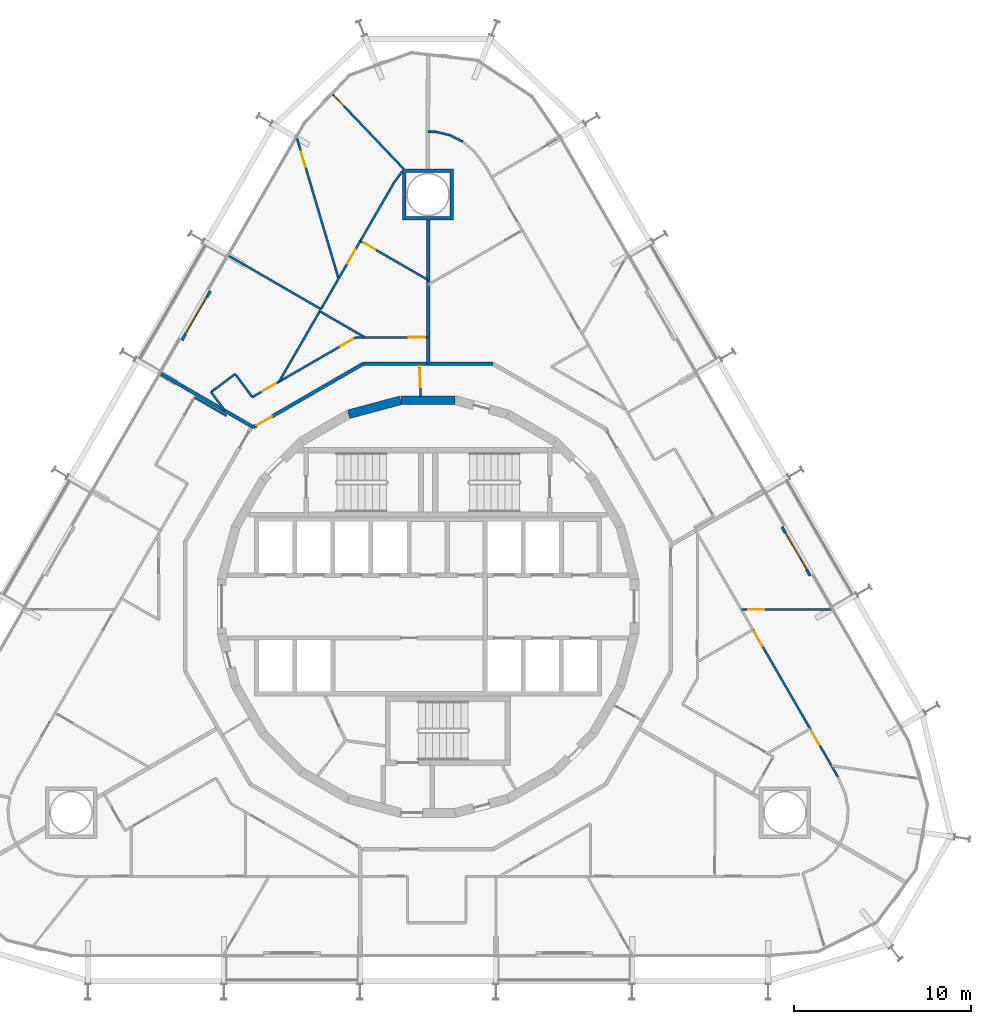
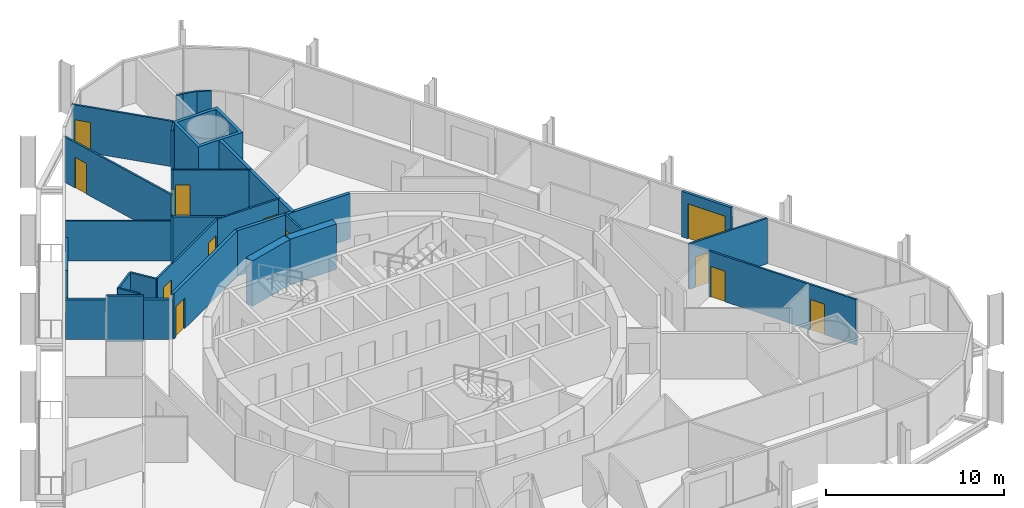
# One storey, part 17 of 19: 30 walls, 14 doors, 14 openings.
"""IFC4 building model written with IfcOpenShell, lengths in metres."""

from ifc_helpers import new_model, si_unit, direction, frame, frame_2d, origin, place, context, subcontext, project, spatial, polyline, rectangle, outline, extrude, material, layer, layer_set, type_object, element, fill, save


model = new_model("IFC4")

# Units and contexts
model_context = context("Model", 3, precision=1e-05, world=origin(), true_north=direction((0.0, 1.0)))
body_context = subcontext(model_context, "Body", "Model", "MODEL_VIEW")
ifc_project = project(units=[si_unit("LENGTHUNIT", "METRE"), si_unit("AREAUNIT", "SQUARE_METRE"), si_unit("VOLUMEUNIT", "CUBIC_METRE"), si_unit("PLANEANGLEUNIT", "RADIAN"), si_unit("MASSUNIT", "GRAM", prefix="KILO")], contexts=[model_context])

# Site, building, storey
site_placement = place(None, origin())
site = spatial("IfcSite", under=ifc_project, at=site_placement, CompositionType="ELEMENT")
building_placement = place(site_placement, origin())
building = spatial("IfcBuilding", under=site, at=building_placement, Name="Spindle Arch Residences", CompositionType="ELEMENT")
storey_placement = place(building_placement, frame((0.0, 0.0, 45.39990234375)))
storey = spatial("IfcBuildingStorey", under=building, at=storey_placement, Name="L09", CompositionType="ELEMENT", Elevation=45.39990234375)

# Walls
ifc_material_1 = material(Name="Concrete C50/60", Category="concrete")
ifc_layer_1 = layer(ifc_material_1, 0.5)
ifc_layer_set_1 = layer_set([ifc_layer_1], Name="Core outline wall 500")
wall_type_1 = type_object("IfcWallType", Name="Core outline wall 500", PredefinedType="SHEAR", material=ifc_layer_set_1)
for number, where, z_axis, x_axis, name in (
    (1, (1.516357421875, 11.647216796875, 0.0), (0.0, 0.0, 1.0), (-1.0, 0.0, 0.0), "Core outline wall 12"),
    (2, (-1.5498046875, 11.642822265625, 0.0), (0.0, 0.0, 1.0), (-0.965948410781, -0.258734743916, 0.0), "Core outline wall 13"),
):
    element("IfcWall", number, at=place(storey_placement, frame(where, z_axis=z_axis, x_axis=x_axis)), inside=storey, type_object=wall_type_1, Name=name, PredefinedType="SHEAR", context=body_context, shape_type="SweptSolid", body=[
        extrude(rectangle(XDim=3.03271484375, YDim=0.5, at=frame_2d((1.516357421875, 0.0))), origin(), (0.0, 0.0, 1.0), 3.1201171875),
    ])

# Wall, opening, door
ifc_material_2 = material(Name="Plasterboard on steel studs", Category="steel")
ifc_layer_2 = layer(ifc_material_2, 0.1201171875)
ifc_layer_set_2 = layer_set([ifc_layer_2], Name="Corridor division wall 120")
wall_type_2 = type_object("IfcWallType", Name="Corridor division wall 120", PredefinedType="PARTITIONING", material=ifc_layer_set_2)
wall_1_placement = place(storey_placement, frame((-0.478515625, 13.699951171875, 0.0), z_axis=(0.0, 0.0, 1.0), x_axis=(0.034919103017, -0.999390142159, 0.0)))
wall_1 = element("IfcWall", 3, at=wall_1_placement, inside=storey, type_object=wall_type_2, Name="Corridor division wall R1A0-W001", PredefinedType="PARTITIONING", context=body_context, shape_type="SweptSolid", body=[
    extrude(rectangle(XDim=1.803955078125, YDim=0.1201171875, at=frame_2d((0.90185546875, 0.0))), origin(), (0.0, 0.0, 1.0), 3.1201171875),
])
opening_1_placement = place(wall_1_placement, frame((0.110107421875, 0.0, 0.0)))
opening_1 = element("IfcOpeningElement", 4, at=opening_1_placement, cuts=wall_1, Name="Opening R1A0-CD01", PredefinedType="OPENING", context=body_context, shape_type="SweptSolid", body=[
    extrude(rectangle(XDim=1.199951171875, YDim=2.10009765625, at=frame_2d((0.60009765625, 1.050048828125))), frame((0.0, 0.070068359375, 0.0), z_axis=(0.0, -1.0, 0.0), x_axis=(1.0, 0.0, 0.0)), (0.0, 0.0, 1.0), 0.14013671875),
])
ifc_material_3 = material(Name="Steel, fire-resisting door", Category="steel")
door_type_1 = type_object("IfcDoorType", Name="Corridor division door 1200x2100", OperationType="NOTDEFINED", PredefinedType="DOOR", material=ifc_material_3)
door_1_placement = place(opening_1_placement, origin())
door_1 = element("IfcDoor", 5, at=door_1_placement, inside=storey, type_object=door_type_1, Name="Corridor division door R1A0-CD01", OperationType="DOUBLE_DOOR_SINGLE_SWING", OverallHeight=2.10009765625, OverallWidth=1.199951171875, PredefinedType="DOOR", context=body_context, shape_type="SweptSolid", body=[
    extrude(rectangle(XDim=1.199951171875, YDim=2.10009765625, at=frame_2d((0.60009765625, 1.050048828125))), frame((0.0, 0.02490234375, 0.0), z_axis=(0.0, -1.0, 0.0), x_axis=(1.0, 0.0, 0.0)), (0.0, 0.0, 1.0), 0.050048828125),
])
fill(opening_1, door_1)

# Wall
ifc_material_4 = material(Name="Calcium silicate block, plastered")
ifc_layer_3 = layer(ifc_material_4, 0.199951171875)
ifc_layer_set_3 = layer_set([ifc_layer_3], Name="Corridor wall 200")
wall_type_3 = type_object("IfcWallType", Name="Corridor wall 200", PredefinedType="STANDARD", material=ifc_layer_set_3)
wall_2_placement = place(storey_placement, frame((3.6708984375, 13.699951171875, 0.0), z_axis=(0.0, 0.0, 1.0), x_axis=(-1.0, 0.0, 0.0)))
element("IfcWall", 6, at=wall_2_placement, inside=storey, type_object=wall_type_3, Name="Corridor wall R1A0-W006", PredefinedType="STANDARD", context=body_context, shape_type="SweptSolid", body=[
    extrude(rectangle(XDim=7.341796875, YDim=0.199951171875, at=frame_2d((3.6708984375, 0.0))), origin(), (0.0, 0.0, 1.0), 3.1201171875),
])

# Wall, opening, door
wall_3_placement = place(storey_placement, frame((-3.6708984375, 13.699951171875, 0.0), z_axis=(0.0, 0.0, 1.0), x_axis=(-0.866031419417, -0.499989580474, 0.0)))
wall_3 = element("IfcWall", 7, at=wall_3_placement, inside=storey, type_object=wall_type_3, Name="Corridor wall R1A0-W009", PredefinedType="STANDARD", context=body_context, shape_type="SweptSolid", body=[
    extrude(rectangle(XDim=7.146728515625, YDim=0.199951171875, at=frame_2d((3.5732421875, 0.0))), origin(), (0.0, 0.0, 1.0), 3.1201171875),
])
opening_2_placement = place(wall_3_placement, frame((5.946533203125, 0.0, 0.0)))
opening_2 = element("IfcOpeningElement", 8, at=opening_2_placement, cuts=wall_3, Name="Opening R1A0-FD02", PredefinedType="OPENING", context=body_context, shape_type="SweptSolid", body=[
    extrude(rectangle(XDim=1.0, YDim=2.10009765625, at=frame_2d((0.5, 1.050048828125))), frame((0.0, 0.10986328125, 0.0), z_axis=(0.0, -1.0, 0.0), x_axis=(1.0, 0.0, 0.0)), (0.0, 0.0, 1.0), 0.219970703125),
])
ifc_material_5 = material(Name="Timber, fire-resisting door set", Category="wood")
door_type_2 = type_object("IfcDoorType", Name="Flat entrance door 1000x2100", OperationType="NOTDEFINED", PredefinedType="DOOR", material=ifc_material_5)
door_2_placement = place(opening_2_placement, origin())
door_2 = element("IfcDoor", 9, at=door_2_placement, inside=storey, type_object=door_type_2, Name="Flat entrance door R1A0-FD02", OperationType="SINGLE_SWING_LEFT", OverallHeight=2.10009765625, OverallWidth=1.0, PredefinedType="DOOR", context=body_context, shape_type="SweptSolid", body=[
    extrude(rectangle(XDim=1.0, YDim=2.10009765625, at=frame_2d((0.5, 1.050048828125))), frame((0.0, 0.02490234375, 0.0), z_axis=(0.0, -1.0, 0.0), x_axis=(1.0, 0.0, 0.0)), (0.0, 0.0, 1.0), 0.050048828125),
])
fill(opening_2, door_2)

# Walls
ifc_material_6 = material(Name="Plasterboard on steel studs", Category="steel")
ifc_layer_4 = layer(ifc_material_6, 0.1201171875)
ifc_layer_set_4 = layer_set([ifc_layer_4], Name="Flat partition 120")
wall_type_4 = type_object("IfcWallType", Name="Flat partition 120", PredefinedType="PARTITIONING", material=ifc_layer_set_4)
wall_4_placement = place(storey_placement, frame((0.0, 26.8056640625, 0.0), z_axis=(0.0, 0.0, 1.0), x_axis=(1.0, 0.0, 0.0)))
element("IfcWall", 10, at=wall_4_placement, inside=storey, type_object=wall_type_4, Name="Flat partition R1A0-W038", PredefinedType="PARTITIONING", context=body_context, shape_type="SweptSolid", body=[
    extrude(rectangle(XDim=0.41455078125, YDim=0.1201171875, at=frame_2d((0.207275390625, 0.0))), origin(), (0.0, 0.0, 1.0), 3.1201171875),
])
wall_5_placement = place(storey_placement, frame((0.41455078125, 26.8056640625, 0.0), z_axis=(0.0, 0.0, 1.0), x_axis=(0.973048993259, -0.230598475097, 0.0)))
element("IfcWall", 11, at=wall_5_placement, inside=storey, type_object=wall_type_4, Name="Flat partition R1A0-W039", PredefinedType="PARTITIONING", context=body_context, shape_type="SweptSolid", body=[
    extrude(rectangle(XDim=0.8291015625, YDim=0.1201171875, at=frame_2d((0.41455078125, 0.0))), origin(), (0.0, 0.0, 1.0), 3.1201171875),
])
wall_6_placement = place(storey_placement, frame((1.22119140625, 26.614501953125, 0.0), z_axis=(0.0, 0.0, 1.0), x_axis=(0.893719110379, -0.448626962791, 0.0)))
element("IfcWall", 12, at=wall_6_placement, inside=storey, type_object=wall_type_4, Name="Flat partition R1A0-W040", PredefinedType="PARTITIONING", context=body_context, shape_type="SweptSolid", body=[
    extrude(rectangle(XDim=0.828857421875, YDim=0.1201171875, at=frame_2d((0.41455078125, 0.0))), origin(), (0.0, 0.0, 1.0), 3.1201171875),
])

# Wall, opening, door
wall_7_placement = place(storey_placement, frame((0.0, 15.199951171875, 0.0), z_axis=(0.0, 0.0, 1.0), x_axis=(-1.0, 0.0, 0.0)))
wall_7 = element("IfcWall", 13, at=wall_7_placement, inside=storey, type_object=wall_type_4, Name="Flat partition R1A0-W043", PredefinedType="PARTITIONING", context=body_context, shape_type="SweptSolid", body=[
    extrude(rectangle(XDim=4.07275390625, YDim=0.1201171875, at=frame_2d((2.036376953125, 0.0))), origin(), (0.0, 0.0, 1.0), 3.1201171875),
])
opening_3_placement = place(wall_7_placement, frame((0.199951171875, 0.0, 0.0)))
opening_3 = element("IfcOpeningElement", 14, at=opening_3_placement, cuts=wall_7, Name="Opening R1A0-ID07", PredefinedType="OPENING", context=body_context, shape_type="SweptSolid", body=[
    extrude(rectangle(XDim=0.89990234375, YDim=2.10009765625, at=frame_2d((0.449951171875, 1.050048828125))), frame((0.0, 0.070068359375, 0.0), z_axis=(0.0, -1.0, 0.0), x_axis=(1.0, 0.0, 0.0)), (0.0, 0.0, 1.0), 0.14013671875),
])
ifc_material_7 = material(Name="Timber door set", Category="wood")
door_type_3 = type_object("IfcDoorType", Name="Room door 900x2100", OperationType="NOTDEFINED", PredefinedType="DOOR", material=ifc_material_7)
door_3_placement = place(opening_3_placement, origin())
door_3 = element("IfcDoor", 15, at=door_3_placement, inside=storey, type_object=door_type_3, Name="Room door R1A0-ID07", OperationType="SINGLE_SWING_RIGHT", OverallHeight=2.10009765625, OverallWidth=0.89990234375, PredefinedType="DOOR", context=body_context, shape_type="SweptSolid", body=[
    extrude(rectangle(XDim=0.89990234375, YDim=2.10009765625, at=frame_2d((0.449951171875, 1.050048828125))), frame((0.0, 0.02490234375, 0.0), z_axis=(0.0, -1.0, 0.0), x_axis=(1.0, 0.0, 0.0)), (0.0, 0.0, 1.0), 0.050048828125),
])
fill(opening_3, door_3)

# Wall, openings, doors
wall_8_placement = place(storey_placement, frame((-4.07275390625, 15.199951171875, 0.0), z_axis=(0.0, 0.0, 1.0), x_axis=(-0.866024802457, -0.500001041529, 0.0)))
wall_8 = element("IfcWall", 16, at=wall_8_placement, inside=storey, type_object=wall_type_4, Name="Flat partition R1A0-W044", PredefinedType="PARTITIONING", context=body_context, shape_type="SweptSolid", body=[
    extrude(rectangle(XDim=6.75146484375, YDim=0.1201171875, at=frame_2d((3.375732421875, 0.0))), origin(), (0.0, 0.0, 1.0), 3.1201171875),
])
opening_4_placement = place(wall_8_placement, frame((0.199951171875, 0.0, 0.0)))
opening_4 = element("IfcOpeningElement", 17, at=opening_4_placement, cuts=wall_8, Name="Opening R1A0-BD02", PredefinedType="OPENING", context=body_context, shape_type="SweptSolid", body=[
    extrude(rectangle(XDim=0.800048828125, YDim=2.10009765625, at=frame_2d((0.39990234375, 1.050048828125))), frame((0.0, 0.070068359375, 0.0), z_axis=(0.0, -1.0, 0.0), x_axis=(1.0, 0.0, 0.0)), (0.0, 0.0, 1.0), 0.14013671875),
])
opening_5_placement = place(wall_8_placement, frame((5.20556640625, 0.0, 0.0)))
opening_5 = element("IfcOpeningElement", 18, at=opening_5_placement, cuts=wall_8, Name="Opening R1A0-ID08", PredefinedType="OPENING", context=body_context, shape_type="SweptSolid", body=[
    extrude(rectangle(XDim=0.89990234375, YDim=2.10009765625, at=frame_2d((0.449951171875, 1.050048828125))), frame((0.0, 0.070068359375, 0.0), z_axis=(0.0, -1.0, 0.0), x_axis=(1.0, 0.0, 0.0)), (0.0, 0.0, 1.0), 0.14013671875),
])
ifc_material_8 = material(Name="Timber door set", Category="wood")
door_type_4 = type_object("IfcDoorType", Name="Bathroom door 800x2100", OperationType="NOTDEFINED", PredefinedType="DOOR", material=ifc_material_8)
door_4_placement = place(opening_4_placement, origin())
door_4 = element("IfcDoor", 19, at=door_4_placement, inside=storey, type_object=door_type_4, Name="Bathroom door R1A0-BD02", OperationType="SINGLE_SWING_LEFT", OverallHeight=2.10009765625, OverallWidth=0.800048828125, PredefinedType="DOOR", context=body_context, shape_type="SweptSolid", body=[
    extrude(rectangle(XDim=0.800048828125, YDim=2.10009765625, at=frame_2d((0.39990234375, 1.050048828125))), frame((0.0, 0.02490234375, 0.0), z_axis=(0.0, -1.0, 0.0), x_axis=(1.0, 0.0, 0.0)), (0.0, 0.0, 1.0), 0.050048828125),
])
fill(opening_4, door_4)
door_5_placement = place(opening_5_placement, origin())
door_5 = element("IfcDoor", 20, at=door_5_placement, inside=storey, type_object=door_type_3, Name="Room door R1A0-ID08", OperationType="SINGLE_SWING_LEFT", OverallHeight=2.10009765625, OverallWidth=0.89990234375, PredefinedType="DOOR", context=body_context, shape_type="SweptSolid", body=[
    extrude(rectangle(XDim=0.89990234375, YDim=2.10009765625, at=frame_2d((0.449951171875, 1.050048828125))), frame((0.0, 0.02490234375, 0.0), z_axis=(0.0, -1.0, 0.0), x_axis=(1.0, 0.0, 0.0)), (0.0, 0.0, 1.0), 0.050048828125),
])
fill(opening_5, door_5)

# Walls
wall_9_placement = place(storey_placement, frame((-9.919677734375, 11.82421875, 0.0), z_axis=(0.0, 0.0, 1.0), x_axis=(-0.597853402964, 0.801605456921, 0.0)))
element("IfcWall", 21, at=wall_9_placement, inside=storey, type_object=wall_type_4, Name="Flat partition R1A0-W045", PredefinedType="PARTITIONING", context=body_context, shape_type="SweptSolid", body=[
    extrude(rectangle(XDim=1.62109375, YDim=0.1201171875, at=frame_2d((0.810546875, 0.0))), origin(), (0.0, 0.0, 1.0), 3.1201171875),
])
wall_10_placement = place(storey_placement, frame((-10.888916015625, 13.123779296875, 0.0), z_axis=(0.0, 0.0, 1.0), x_axis=(-0.801616976804, -0.597837956724, 0.0)))
element("IfcWall", 22, at=wall_10_placement, inside=storey, type_object=wall_type_4, Name="Flat partition R1A0-W046", PredefinedType="PARTITIONING", context=body_context, shape_type="SweptSolid", body=[
    extrude(rectangle(XDim=1.699951171875, YDim=0.1201171875, at=frame_2d((0.85009765625, 0.0))), origin(), (0.0, 0.0, 1.0), 3.1201171875),
])
wall_11_placement = place(storey_placement, frame((-12.251708984375, 12.107421875, 0.0), z_axis=(0.0, 0.0, 1.0), x_axis=(0.597827926538, -0.801624457119, 0.0)))
element("IfcWall", 23, at=wall_11_placement, inside=storey, type_object=wall_type_4, Name="Flat partition R1A0-W047", PredefinedType="PARTITIONING", context=body_context, shape_type="SweptSolid", body=[
    extrude(rectangle(XDim=1.314208984375, YDim=0.1201171875, at=frame_2d((0.6572265625, 0.0))), origin(), (0.0, 0.0, 1.0), 3.1201171875),
])

# Wall, opening, door
wall_12_placement = place(storey_placement, frame((-5.487060546875, 29.0283203125, 0.0), z_axis=(0.0, 0.0, 1.0), x_axis=(0.689189638576, -0.724581011398, 0.0)))
wall_12 = element("IfcWall", 24, at=wall_12_placement, inside=storey, type_object=wall_type_4, Name="Flat partition R1A0-W048", PredefinedType="PARTITIONING", context=body_context, shape_type="SweptSolid", body=[
    extrude(rectangle(XDim=5.960205078125, YDim=0.1201171875, at=frame_2d((2.97998046875, 0.0))), origin(), (0.0, 0.0, 1.0), 3.1201171875),
])
opening_6_placement = place(wall_12_placement, frame((0.199951171875, 0.0, 0.0)))
opening_6 = element("IfcOpeningElement", 25, at=opening_6_placement, cuts=wall_12, Name="Opening R1A0-ID10", PredefinedType="OPENING", context=body_context, shape_type="SweptSolid", body=[
    extrude(rectangle(XDim=0.89990234375, YDim=2.10009765625, at=frame_2d((0.449951171875, 1.050048828125))), frame((0.0, 0.070068359375, 0.0), z_axis=(0.0, -1.0, 0.0), x_axis=(1.0, 0.0, 0.0)), (0.0, 0.0, 1.0), 0.14013671875),
])
door_6_placement = place(opening_6_placement, origin())
door_6 = element("IfcDoor", 26, at=door_6_placement, inside=storey, type_object=door_type_3, Name="Room door R1A0-ID10", OperationType="SINGLE_SWING_LEFT", OverallHeight=2.10009765625, OverallWidth=0.89990234375, PredefinedType="DOOR", context=body_context, shape_type="SweptSolid", body=[
    extrude(rectangle(XDim=0.89990234375, YDim=2.10009765625, at=frame_2d((0.449951171875, 1.050048828125))), frame((0.0, 0.02490234375, 0.0), z_axis=(0.0, -1.0, 0.0), x_axis=(1.0, 0.0, 0.0)), (0.0, 0.0, 1.0), 0.050048828125),
])
fill(opening_6, door_6)

wall_13_placement = place(storey_placement, frame((-3.820556640625, 20.642578125, 0.0), z_axis=(0.0, 0.0, 1.0), x_axis=(0.866024310165, -0.5000018942, 0.0)))
wall_13 = element("IfcWall", 27, at=wall_13_placement, inside=storey, type_object=wall_type_4, Name="Flat partition R1A0-W049", PredefinedType="PARTITIONING", context=body_context, shape_type="SweptSolid", body=[
    extrude(rectangle(XDim=4.41162109375, YDim=0.1201171875, at=frame_2d((2.205810546875, 0.0))), origin(), (0.0, 0.0, 1.0), 3.1201171875),
])
opening_7_placement = place(wall_13_placement, frame((0.199951171875, 0.0, 0.0)))
opening_7 = element("IfcOpeningElement", 28, at=opening_7_placement, cuts=wall_13, Name="Opening R1A0-BD03", PredefinedType="OPENING", context=body_context, shape_type="SweptSolid", body=[
    extrude(rectangle(XDim=0.800048828125, YDim=2.10009765625, at=frame_2d((0.39990234375, 1.050048828125))), frame((0.0, 0.070068359375, 0.0), z_axis=(0.0, -1.0, 0.0), x_axis=(1.0, 0.0, 0.0)), (0.0, 0.0, 1.0), 0.14013671875),
])
door_7_placement = place(opening_7_placement, origin())
door_7 = element("IfcDoor", 29, at=door_7_placement, inside=storey, type_object=door_type_4, Name="Bathroom door R1A0-BD03", OperationType="SINGLE_SWING_LEFT", OverallHeight=2.10009765625, OverallWidth=0.800048828125, PredefinedType="DOOR", context=body_context, shape_type="SweptSolid", body=[
    extrude(rectangle(XDim=0.800048828125, YDim=2.10009765625, at=frame_2d((0.39990234375, 1.050048828125))), frame((0.0, 0.02490234375, 0.0), z_axis=(0.0, -1.0, 0.0), x_axis=(1.0, 0.0, 0.0)), (0.0, 0.0, 1.0), 0.050048828125),
])
fill(opening_7, door_7)

# Wall
wall_14_placement = place(storey_placement, frame((-1.449951171875, 24.57080078125, 0.0), z_axis=(0.0, 0.0, 1.0), x_axis=(-0.597187509737, -0.802101663266, 0.0)))
element("IfcWall", 30, at=wall_14_placement, inside=storey, type_object=wall_type_4, Name="Flat partition R1A0-W050", PredefinedType="PARTITIONING", context=body_context, shape_type="SweptSolid", body=[
    extrude(rectangle(XDim=0.764892578125, YDim=0.1201171875, at=frame_2d((0.38232421875, 0.0))), origin(), (0.0, 0.0, 1.0), 3.1201171875),
])

# Wall, opening, door
wall_15_placement = place(storey_placement, frame((-1.90673828125, 23.957275390625, 0.0), z_axis=(0.0, 0.0, 1.0), x_axis=(-0.499994901178, -0.866028347571, 0.0)))
wall_15 = element("IfcWall", 31, at=wall_15_placement, inside=storey, type_object=wall_type_4, Name="Flat partition R1A0-W051", PredefinedType="PARTITIONING", context=body_context, shape_type="SweptSolid", body=[
    extrude(rectangle(XDim=8.27392578125, YDim=0.1201171875, at=frame_2d((4.136962890625, 0.0))), origin(), (0.0, 0.0, 1.0), 3.1201171875),
])
opening_8_placement = place(wall_15_placement, frame((4.387451171875, 0.0, 0.0)))
opening_8 = element("IfcOpeningElement", 32, at=opening_8_placement, cuts=wall_15, Name="Opening R1A0-ID09", PredefinedType="OPENING", context=body_context, shape_type="SweptSolid", body=[
    extrude(rectangle(XDim=0.89990234375, YDim=2.10009765625, at=frame_2d((0.449951171875, 1.050048828125))), frame((0.0, 0.070068359375, 0.0), z_axis=(0.0, -1.0, 0.0), x_axis=(1.0, 0.0, 0.0)), (0.0, 0.0, 1.0), 0.14013671875),
])
door_8_placement = place(opening_8_placement, origin())
door_8 = element("IfcDoor", 33, at=door_8_placement, inside=storey, type_object=door_type_3, Name="Room door R1A0-ID09", OperationType="SINGLE_SWING_LEFT", OverallHeight=2.10009765625, OverallWidth=0.89990234375, PredefinedType="DOOR", context=body_context, shape_type="SweptSolid", body=[
    extrude(rectangle(XDim=0.89990234375, YDim=2.10009765625, at=frame_2d((0.449951171875, 1.050048828125))), frame((0.0, 0.02490234375, 0.0), z_axis=(0.0, -1.0, 0.0), x_axis=(1.0, 0.0, 0.0)), (0.0, 0.0, 1.0), 0.050048828125),
])
fill(opening_8, door_8)

# Wall
wall_16_placement = place(storey_placement, frame((-6.114013671875, 16.669921875, 0.0), z_axis=(0.0, 0.0, 1.0), x_axis=(0.866011328839, -0.500024377727, 0.0)))
element("IfcWall", 34, at=wall_16_placement, inside=storey, type_object=wall_type_4, Name="Flat partition R1A0-W052", PredefinedType="PARTITIONING", context=body_context, shape_type="SweptSolid", body=[
    extrude(rectangle(XDim=2.939697265625, YDim=0.1201171875, at=frame_2d((1.4697265625, 0.0))), origin(), (0.0, 0.0, 1.0), 3.1201171875),
])

# Wall, opening, door
wall_17_placement = place(storey_placement, frame((-7.39990234375, 26.44287109375, 0.0), z_axis=(0.0, 0.0, 1.0), x_axis=(0.283777867447, -0.95889004685, 0.0)))
wall_17 = element("IfcWall", 35, at=wall_17_placement, inside=storey, type_object=wall_type_4, Name="Flat partition R1A0-W053", PredefinedType="PARTITIONING", context=body_context, shape_type="SweptSolid", body=[
    extrude(rectangle(XDim=8.273681640625, YDim=0.1201171875, at=frame_2d((4.13671875, 0.0))), origin(), (0.0, 0.0, 1.0), 3.1201171875),
])
opening_9_placement = place(wall_17_placement, frame((0.800048828125, 0.0, 0.0)))
opening_9 = element("IfcOpeningElement", 36, at=opening_9_placement, cuts=wall_17, Name="Opening R1A0-ID11", PredefinedType="OPENING", context=body_context, shape_type="SweptSolid", body=[
    extrude(rectangle(XDim=0.89990234375, YDim=2.10009765625, at=frame_2d((0.449951171875, 1.050048828125))), frame((0.0, 0.070068359375, 0.0), z_axis=(0.0, -1.0, 0.0), x_axis=(1.0, 0.0, 0.0)), (0.0, 0.0, 1.0), 0.14013671875),
])
door_9_placement = place(opening_9_placement, origin())
door_9 = element("IfcDoor", 37, at=door_9_placement, inside=storey, type_object=door_type_3, Name="Room door R1A0-ID11", OperationType="SINGLE_SWING_RIGHT", OverallHeight=2.10009765625, OverallWidth=0.89990234375, PredefinedType="DOOR", context=body_context, shape_type="SweptSolid", body=[
    extrude(rectangle(XDim=0.89990234375, YDim=2.10009765625, at=frame_2d((0.449951171875, 1.050048828125))), frame((0.0, 0.02490234375, 0.0), z_axis=(0.0, -1.0, 0.0), x_axis=(1.0, 0.0, 0.0)), (0.0, 0.0, 1.0), 0.050048828125),
])
fill(opening_9, door_9)

# Walls
wall_18_placement = place(storey_placement, frame((-6.093994140625, 16.70458984375, 0.0), z_axis=(0.0, 0.0, 1.0), x_axis=(-0.500014747178, -0.86601688933, 0.0)))
element("IfcWall", 38, at=wall_18_placement, inside=storey, type_object=wall_type_4, Name="Flat partition R1A0-W055", PredefinedType="PARTITIONING", context=body_context, shape_type="SweptSolid", body=[
    extrude(rectangle(XDim=4.627197265625, YDim=0.1201171875, at=frame_2d((2.3134765625, 0.0))), origin(), (0.0, 0.0, 1.0), 3.1201171875),
])
wall_19_placement = place(storey_placement, frame((-11.371826171875, 10.76318359375, 0.0), z_axis=(0.0, 0.0, 1.0), x_axis=(-0.866041603473, 0.499971940267, 0.0)))
element("IfcWall", 39, at=wall_19_placement, inside=storey, type_object=wall_type_4, Name="Flat partition R1A0-W056", PredefinedType="PARTITIONING", context=body_context, shape_type="SweptSolid", body=[
    extrude(rectangle(XDim=2.08935546875, YDim=0.1201171875, at=frame_2d((1.044677734375, 0.0))), origin(), (0.0, 0.0, 1.0), 3.1201171875),
])

# Wall, opening, door
wall_20_placement = place(storey_placement, frame((17.679443359375, -0.161865234375, 0.0), z_axis=(0.0, 0.0, 1.0), x_axis=(1.0, 0.0, 0.0)))
wall_20 = element("IfcWall", 40, at=wall_20_placement, inside=storey, type_object=wall_type_4, Name="Flat partition R1A0-W105", PredefinedType="PARTITIONING", context=body_context, shape_type="SweptSolid", body=[
    extrude(rectangle(XDim=5.08056640625, YDim=0.1201171875, at=frame_2d((2.540283203125, 0.0))), origin(), (0.0, 0.0, 1.0), 3.1201171875),
])
opening_10_placement = place(wall_20_placement, frame((0.39990234375, 0.0, 0.0)))
opening_10 = element("IfcOpeningElement", 41, at=opening_10_placement, cuts=wall_20, Name="Opening R1A0-ID33", PredefinedType="OPENING", context=body_context, shape_type="SweptSolid", body=[
    extrude(rectangle(XDim=0.89990234375, YDim=2.10009765625, at=frame_2d((0.449951171875, 1.050048828125))), frame((0.0, 0.070068359375, 0.0), z_axis=(0.0, -1.0, 0.0), x_axis=(1.0, 0.0, 0.0)), (0.0, 0.0, 1.0), 0.14013671875),
])
door_10_placement = place(opening_10_placement, origin())
door_10 = element("IfcDoor", 42, at=door_10_placement, inside=storey, type_object=door_type_3, Name="Room door R1A0-ID33", OperationType="SINGLE_SWING_LEFT", OverallHeight=2.10009765625, OverallWidth=0.89990234375, PredefinedType="DOOR", context=body_context, shape_type="SweptSolid", body=[
    extrude(rectangle(XDim=0.89990234375, YDim=2.10009765625, at=frame_2d((0.449951171875, 1.050048828125))), frame((0.0, 0.02490234375, 0.0), z_axis=(0.0, -1.0, 0.0), x_axis=(1.0, 0.0, 0.0)), (0.0, 0.0, 1.0), 0.050048828125),
])
fill(opening_10, door_10)

# Wall, openings, doors
wall_21_placement = place(storey_placement, frame((18.338623046875, -1.303466796875, 0.0), z_axis=(0.0, 0.0, 1.0), x_axis=(0.499989127021, -0.866031681211, 0.0)))
wall_21 = element("IfcWall", 43, at=wall_21_placement, inside=storey, type_object=wall_type_4, Name="Flat partition R1A0-W107", PredefinedType="PARTITIONING", context=body_context, shape_type="SweptSolid", body=[
    extrude(rectangle(XDim=9.589111328125, YDim=0.1201171875, at=frame_2d((4.79443359375, 0.0))), origin(), (0.0, 0.0, 1.0), 3.1201171875),
])
opening_11_placement = place(wall_21_placement, frame((0.159912109375, 0.0, 0.0)))
opening_11 = element("IfcOpeningElement", 44, at=opening_11_placement, cuts=wall_21, Name="Opening R1A0-ID32", PredefinedType="OPENING", context=body_context, shape_type="SweptSolid", body=[
    extrude(rectangle(XDim=0.89990234375, YDim=2.10009765625, at=frame_2d((0.449951171875, 1.050048828125))), frame((0.0, 0.070068359375, 0.0), z_axis=(0.0, -1.0, 0.0), x_axis=(1.0, 0.0, 0.0)), (0.0, 0.0, 1.0), 0.14013671875),
])
opening_12_placement = place(wall_21_placement, frame((6.6181640625, 0.0, 0.0)))
opening_12 = element("IfcOpeningElement", 45, at=opening_12_placement, cuts=wall_21, Name="Opening R1A0-ID35", PredefinedType="OPENING", context=body_context, shape_type="SweptSolid", body=[
    extrude(rectangle(XDim=0.89990234375, YDim=2.10009765625, at=frame_2d((0.449951171875, 1.050048828125))), frame((0.0, 0.070068359375, 0.0), z_axis=(0.0, -1.0, 0.0), x_axis=(1.0, 0.0, 0.0)), (0.0, 0.0, 1.0), 0.14013671875),
])
door_11_placement = place(opening_11_placement, origin())
door_11 = element("IfcDoor", 46, at=door_11_placement, inside=storey, type_object=door_type_3, Name="Room door R1A0-ID32", OperationType="SINGLE_SWING_LEFT", OverallHeight=2.10009765625, OverallWidth=0.89990234375, PredefinedType="DOOR", context=body_context, shape_type="SweptSolid", body=[
    extrude(rectangle(XDim=0.89990234375, YDim=2.10009765625, at=frame_2d((0.449951171875, 1.050048828125))), frame((0.0, 0.02490234375, 0.0), z_axis=(0.0, -1.0, 0.0), x_axis=(1.0, 0.0, 0.0)), (0.0, 0.0, 1.0), 0.050048828125),
])
fill(opening_11, door_11)
door_12_placement = place(opening_12_placement, origin())
door_12 = element("IfcDoor", 47, at=door_12_placement, inside=storey, type_object=door_type_3, Name="Room door R1A0-ID35", OperationType="SINGLE_SWING_RIGHT", OverallHeight=2.10009765625, OverallWidth=0.89990234375, PredefinedType="DOOR", context=body_context, shape_type="SweptSolid", body=[
    extrude(rectangle(XDim=0.89990234375, YDim=2.10009765625, at=frame_2d((0.449951171875, 1.050048828125))), frame((0.0, 0.02490234375, 0.0), z_axis=(0.0, -1.0, 0.0), x_axis=(1.0, 0.0, 0.0)), (0.0, 0.0, 1.0), 0.050048828125),
])
fill(opening_12, door_12)

# Walls
ifc_material_9 = material(Name="Plasterboard on steel studs", Category="steel")
ifc_layer_5 = layer(ifc_material_9, 0.1201171875)
ifc_layer_set_5 = layer_set([ifc_layer_5], Name="Flat partition 120 under beam 2730")
wall_type_5 = type_object("IfcWallType", Name="Flat partition 120 under beam 2730", PredefinedType="PARTITIONING", material=ifc_layer_set_5)
wall_22_placement = place(storey_placement, frame((-11.239990234375, 19.791748046875, 0.0), z_axis=(0.0, 0.0, 1.0), x_axis=(0.866031096941, -0.499990139034, 0.0)))
element("IfcWall", 48, at=wall_22_placement, inside=storey, type_object=wall_type_5, Name="Flat partition R1A0-W054", PredefinedType="PARTITIONING", context=body_context, shape_type="SweptSolid", body=[
    extrude(rectangle(XDim=6.0, YDim=0.1201171875, at=frame_2d((3.0, 0.0))), origin(), (0.0, 0.0, 1.0), 2.72998046875),
])
ifc_material_10 = material(Name="Calcium silicate block, plastered")
ifc_layer_6 = layer(ifc_material_10, 0.199951171875)
ifc_layer_set_6 = layer_set([ifc_layer_6], Name="Flat party wall 200")
wall_type_6 = type_object("IfcWallType", Name="Flat party wall 200", PredefinedType="STANDARD", material=ifc_layer_set_6)
wall_23_placement = place(storey_placement, frame((0.0, 18.436767578125, 0.0), z_axis=(0.0, 0.0, 1.0), x_axis=(0.0, -1.0, 0.0)))
element("IfcWall", 49, at=wall_23_placement, inside=storey, type_object=wall_type_6, Name="Flat party wall R1A0-W017", PredefinedType="STANDARD", context=body_context, shape_type="SweptSolid", body=[
    extrude(rectangle(XDim=4.73681640625, YDim=0.199951171875, at=frame_2d((2.368408203125, 0.0))), origin(), (0.0, 0.0, 1.0), 3.1201171875),
])
wall_24_placement = place(storey_placement, frame((0.0, 21.809814453125, 0.0), z_axis=(0.0, 0.0, 1.0), x_axis=(0.0, -1.0, 0.0)))
element("IfcWall", 50, at=wall_24_placement, inside=storey, type_object=wall_type_6, Name="Flat party wall R1A0-W020", PredefinedType="STANDARD", context=body_context, shape_type="SweptSolid", body=[
    extrude(rectangle(XDim=3.373046875, YDim=0.199951171875, at=frame_2d((1.6865234375, 0.0))), origin(), (0.0, 0.0, 1.0), 3.1201171875),
])
ifc_material_11 = material(Name="Calcium silicate block, plastered")
ifc_layer_7 = layer(ifc_material_11, 0.199951171875)
ifc_layer_set_7 = layer_set([ifc_layer_7], Name="Flat party wall 200 under beam 2730")
wall_type_7 = type_object("IfcWallType", Name="Flat party wall 200 under beam 2730", PredefinedType="STANDARD", material=ifc_layer_set_7)
wall_25_placement = place(storey_placement, frame((-15.080078125, 13.140380859375, 0.0), z_axis=(0.0, 0.0, 1.0), x_axis=(0.86603112331, -0.49999009336, 0.0)))
element("IfcWall", 51, at=wall_25_placement, inside=storey, type_object=wall_type_7, Name="Flat party wall R1A0-W021", PredefinedType="STANDARD", context=body_context, shape_type="SweptSolid", body=[
    extrude(rectangle(XDim=6.02734375, YDim=0.199951171875, at=frame_2d((3.013671875, 0.0))), origin(), (0.0, 0.0, 1.0), 2.72998046875),
])

# Wall, opening, door
ifc_material_12 = material(Name="Non-combustible mineral wool insulated aluminium faced external wall (K0)", Category="aluminium")
ifc_layer_8 = layer(ifc_material_12, 0.159912109375)
ifc_layer_set_8 = layer_set([ifc_layer_8], Name="Insulated external wall panel 160")
wall_type_8 = type_object("IfcWallType", Name="Insulated external wall panel 160", PredefinedType="STANDARD", material=ifc_layer_set_8)
wall_26_placement = place(storey_placement, frame((21.57080078125, 1.73828125, 0.0), z_axis=(0.0, 0.0, 1.0), x_axis=(-0.500028443584, 0.866008981251, 0.0)))
wall_26 = element("IfcWall", 52, at=wall_26_placement, inside=storey, type_object=wall_type_8, Name="External wall L09 bay 7", PredefinedType="STANDARD", context=body_context, shape_type="SweptSolid", body=[
    extrude(rectangle(XDim=3.199951171875, YDim=0.159912109375, at=frame_2d((1.60009765625, 0.0))), origin(), (0.0, 0.0, 1.0), 3.1201171875),
])
opening_13_placement = place(wall_26_placement, frame((0.39990234375, 0.0, 0.0)))
opening_13 = element("IfcOpeningElement", 53, at=opening_13_placement, cuts=wall_26, Name="Opening BD07", PredefinedType="OPENING", context=body_context, shape_type="SweptSolid", body=[
    extrude(rectangle(XDim=2.39990234375, YDim=2.39990234375, at=frame_2d((1.199951171875, 1.199951171875))), frame((0.0, 0.08984375, 0.0), z_axis=(0.0, -1.0, 0.0), x_axis=(1.0, 0.0, 0.0)), (0.0, 0.0, 1.0), 0.179931640625),
])
ifc_material_13 = material(Name="Bronze aluminium frame, tinted double glazing", Category="aluminium")
door_type_5 = type_object("IfcDoorType", Name="Sliding glazed balcony door 2400x2400", OperationType="DOUBLE_DOOR_SLIDING", PredefinedType="DOOR", material=ifc_material_13)
door_13_placement = place(opening_13_placement, origin())
door_13 = element("IfcDoor", 54, at=door_13_placement, inside=storey, type_object=door_type_5, Name="Balcony door BD07", OperationType="DOUBLE_DOOR_SLIDING", OverallHeight=2.39990234375, OverallWidth=2.39990234375, PredefinedType="DOOR", context=body_context, shape_type="SweptSolid", body=[
    extrude(rectangle(XDim=2.39990234375, YDim=2.39990234375, at=frame_2d((1.199951171875, 1.199951171875))), frame((0.0, 0.02490234375, 0.0), z_axis=(0.0, -1.0, 0.0), x_axis=(1.0, 0.0, 0.0)), (0.0, 0.0, 1.0), 0.050048828125),
])
fill(opening_13, door_13)

wall_27_placement = place(storey_placement, frame((-12.290771484375, 17.811767578125, 0.0), z_axis=(0.0, 0.0, 1.0), x_axis=(-0.499971222258, -0.866042017984, 0.0)))
wall_27 = element("IfcWall", 55, at=wall_27_placement, inside=storey, type_object=wall_type_8, Name="External wall L09 bay 15", PredefinedType="STANDARD", context=body_context, shape_type="SweptSolid", body=[
    extrude(rectangle(XDim=3.199951171875, YDim=0.159912109375, at=frame_2d((1.60009765625, 0.0))), origin(), (0.0, 0.0, 1.0), 3.1201171875),
])
opening_14_placement = place(wall_27_placement, frame((0.39990234375, 0.0, 0.0)))
opening_14 = element("IfcOpeningElement", 56, at=opening_14_placement, cuts=wall_27, Name="Opening BD15", PredefinedType="OPENING", context=body_context, shape_type="SweptSolid", body=[
    extrude(rectangle(XDim=2.39990234375, YDim=2.39990234375, at=frame_2d((1.199951171875, 1.199951171875))), frame((0.0, 0.08984375, 0.0), z_axis=(0.0, -1.0, 0.0), x_axis=(1.0, 0.0, 0.0)), (0.0, 0.0, 1.0), 0.179931640625),
])
door_14_placement = place(opening_14_placement, origin())
door_14 = element("IfcDoor", 57, at=door_14_placement, inside=storey, type_object=door_type_5, Name="Balcony door BD15", OperationType="DOUBLE_DOOR_SLIDING", OverallHeight=2.39990234375, OverallWidth=2.39990234375, PredefinedType="DOOR", context=body_context, shape_type="SweptSolid", body=[
    extrude(rectangle(XDim=2.39990234375, YDim=2.39990234375, at=frame_2d((1.199951171875, 1.199951171875))), frame((0.0, 0.02490234375, 0.0), z_axis=(0.0, -1.0, 0.0), x_axis=(1.0, 0.0, 0.0)), (0.0, 0.0, 1.0), 0.050048828125),
])
fill(opening_14, door_14)

# Wall
ifc_material_14 = material(Name="Calcium silicate block, plastered")
ifc_layer_9 = layer(ifc_material_14, 0.199951171875)
ifc_layer_set_9 = layer_set([ifc_layer_9], Name="Mega-column casing wall 200")
wall_type_9 = type_object("IfcWallType", Name="Mega-column casing wall 200", PredefinedType="STANDARD", material=ifc_layer_set_9)
wall_28_placement = place(storey_placement, origin())
element("IfcWall", 58, at=wall_28_placement, inside=storey, type_object=wall_type_9, Name="Mega-column casing wall R1A0-WC01", PredefinedType="STANDARD", context=body_context, shape_type="SweptSolid", body=[
    extrude(outline(polyline([(1.449951171875, 24.709716796875), (1.449951171875, 21.809814453125), (-1.449951171875, 21.809814453125), (-1.449951171875, 24.709716796875), (1.449951171875, 24.709716796875)]), holes=[polyline([(-1.25, 22.009765625), (1.25, 22.009765625), (1.25, 24.509765625), (-1.25, 24.509765625), (-1.25, 22.009765625)])]), origin(), (0.0, 0.0, 1.0), 3.1201171875),
])

save(model, "model.ifc")
